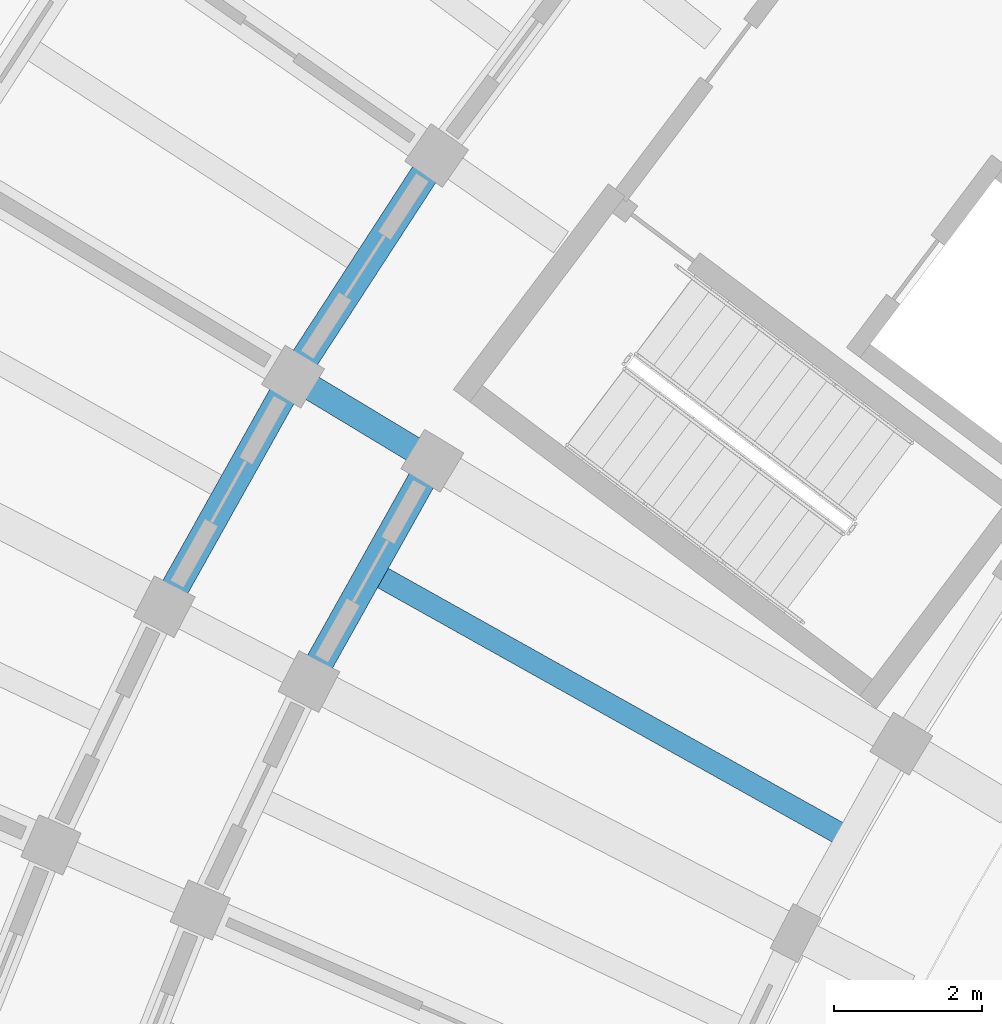
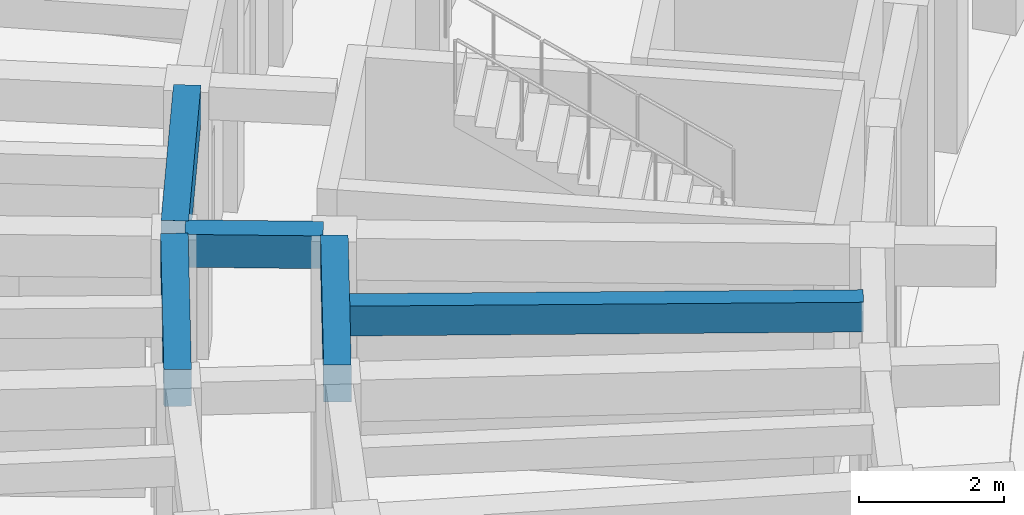
# One storey, part 36 of 132: 5 beams.
"""IFC4 building model written with IfcOpenShell, lengths in metres."""

from ifc_helpers import new_model, si_unit, direction, frame, origin, origin_2d, place, context, subcontext, project, spatial, rectangle, extrude, material, material_profile, profile_set, type_object, element, save


model = new_model("IFC4")

# Units and contexts
model_context = context("Model", 3, precision=1e-05, world=origin(), true_north=direction((0.0, 1.0)))
body_context = subcontext(model_context, "Body", "Model", "MODEL_VIEW")
ifc_project = project(units=[si_unit("LENGTHUNIT", "METRE"), si_unit("AREAUNIT", "SQUARE_METRE"), si_unit("VOLUMEUNIT", "CUBIC_METRE"), si_unit("PLANEANGLEUNIT", "RADIAN"), si_unit("MASSUNIT", "GRAM", prefix="KILO")], contexts=[model_context])

# Site, building, storey
site_placement = place(None, origin())
site = spatial("IfcSite", under=ifc_project, at=site_placement, CompositionType="ELEMENT")
building_placement = place(site_placement, origin())
building = spatial("IfcBuilding", under=site, at=building_placement, Name="Tanwirah Colonnade Gardens", CompositionType="ELEMENT")
storey_placement = place(building_placement, origin())
storey = spatial("IfcBuildingStorey", under=building, at=storey_placement, Name="L00", CompositionType="ELEMENT", Elevation=0.0)

# Beams
ifc_material = material(Name="Precast concrete C40/50", Category="concrete")
ifc_material_profile_1 = material_profile(ifc_material, rectangle(XDim=0.35009765625, YDim=0.550048828125, at=origin_2d()), Name="PC-BM 350x550")
ifc_profile_set_1 = profile_set([ifc_material_profile_1], Name="Precast concrete C40/50")
beam_type_1 = type_object("IfcBeamType", Name="BM-PC350A", PredefinedType="BEAM", material=ifc_profile_set_1)
beam_1_placement = place(storey_placement, frame((20.479248046875, 87.068359375, 4.2099609375), z_axis=(-0.856174920318, 0.516686080534, 0.0), x_axis=(-0.516686080534, -0.856174920318, 0.0)))
element("IfcBeam", 1, at=beam_1_placement, inside=storey, type_object=beam_type_1, Name="Block A L00 Corridor Tie Beam 14", PredefinedType="BEAM", context=body_context, shape_type="SweptSolid", body=[
    extrude(rectangle(XDim=0.35009765625, YDim=0.550048828125, at=origin_2d()), origin(), (0.0, 0.0, 1.0), 1.89990234375),
])
ifc_material_profile_2 = material_profile(ifc_material, rectangle(XDim=0.3798828125, YDim=0.6201171875, at=origin_2d()), Name="PC-BM 380x620")
ifc_profile_set_2 = profile_set([ifc_material_profile_2], Name="Precast concrete C40/50")
beam_type_2 = type_object("IfcBeamType", Name="BM-PC380", PredefinedType="BEAM", material=ifc_profile_set_2)
beam_2_placement = place(storey_placement, frame((20.5830078125, 90.989990234375, 4.175048828125), z_axis=(-0.544627998385, -0.838677735114, 0.0), x_axis=(0.838677735114, -0.544627998385, 0.0)))
element("IfcBeam", 2, at=beam_2_placement, inside=storey, type_object=beam_type_2, Name="Block A L00 Circumferential Beam 13-R2", PredefinedType="BEAM", context=body_context, shape_type="SweptSolid", body=[
    extrude(rectangle(XDim=0.3798828125, YDim=0.6201171875, at=origin_2d()), origin(), (0.0, 0.0, 1.0), 3.262939453125),
])
beam_3_placement = place(storey_placement, frame((20.534423828125, 86.85986328125, 4.175048828125), z_axis=(-0.488200372352, -0.872731571811, 0.0), x_axis=(0.872731571811, -0.488200372352, 0.0)))
element("IfcBeam", 3, at=beam_3_placement, inside=storey, type_object=beam_type_2, Name="Block A L00 Circumferential Beam 14-R1", PredefinedType="BEAM", context=body_context, shape_type="SweptSolid", body=[
    extrude(rectangle(XDim=0.3798828125, YDim=0.6201171875, at=origin_2d()), origin(), (0.0, 0.0, 1.0), 3.117919921875),
])
beam_4_placement = place(storey_placement, frame((18.65087890625, 87.99658203125, 4.175048828125), z_axis=(-0.488213717102, -0.87272410671, 0.0), x_axis=(0.87272410671, -0.488213717102, 0.0)))
element("IfcBeam", 4, at=beam_4_placement, inside=storey, type_object=beam_type_2, Name="Block A L00 Circumferential Beam 14-R2", PredefinedType="BEAM", context=body_context, shape_type="SweptSolid", body=[
    extrude(rectangle(XDim=0.3798828125, YDim=0.6201171875, at=origin_2d()), origin(), (0.0, 0.0, 1.0), 3.262939453125),
])
ifc_material_profile_3 = material_profile(ifc_material, rectangle(XDim=0.300048828125, YDim=0.5, at=origin_2d()), Name="PC-JST 300x500")
ifc_profile_set_3 = profile_set([ifc_material_profile_3], Name="Precast concrete C40/50")
beam_type_3 = type_object("IfcBeamType", Name="JST-PC300", PredefinedType="JOIST", material=ifc_profile_set_3)
beam_5_placement = place(storey_placement, frame((26.102294921875, 81.958984375, 4.235107421875), z_axis=(-0.872726875563, 0.488208767506, 0.0), x_axis=(-0.488208767506, -0.872726875563, 0.0)))
element("IfcBeam", 5, at=beam_5_placement, inside=storey, type_object=beam_type_3, Name="Block A L00 Inner Precast Floor Joist 14", PredefinedType="JOIST", context=body_context, shape_type="SweptSolid", body=[
    extrude(rectangle(XDim=0.300048828125, YDim=0.5, at=origin_2d()), origin(), (0.0, 0.0, 1.0), 7.16015625),
])

save(model, "model.ifc")
